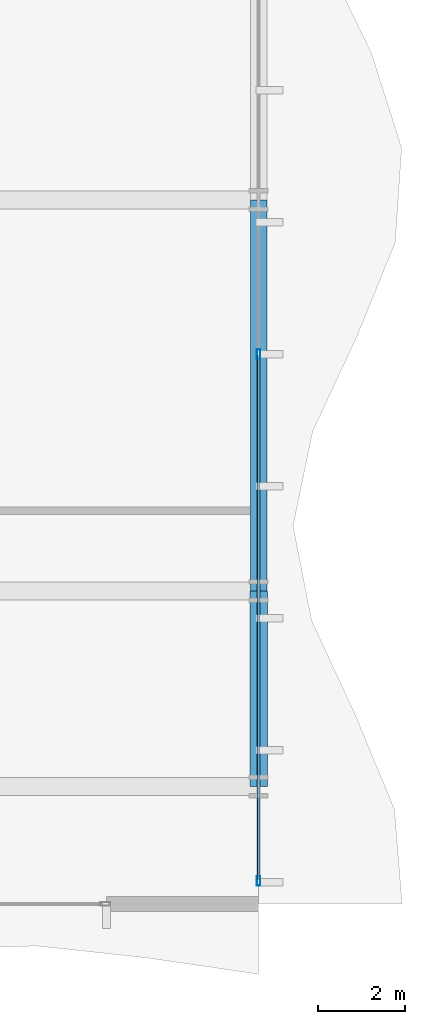
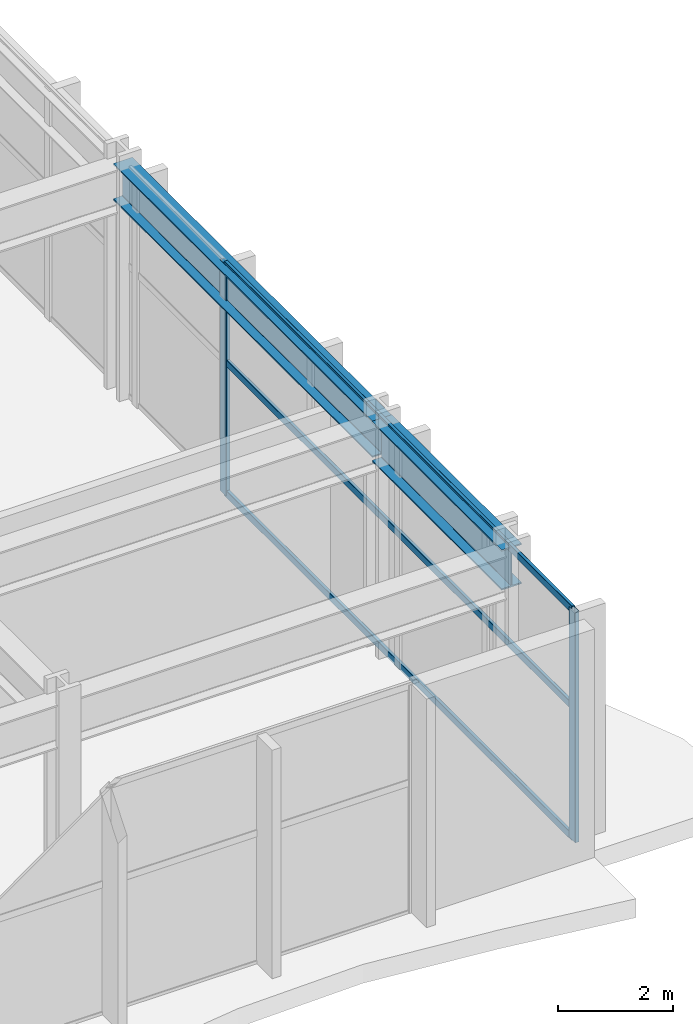
# One storey, part 17 of 33: 5 members, 2 beams, 1 element without a shape of its own.
"""IFC4 building model written with IfcOpenShell, lengths in metres."""

from ifc_helpers import new_model, si_unit, direction, frame, origin, origin_2d, place, context, subcontext, project, spatial, hollow_rectangle, i_section, extrude, material, layer, layer_set, material_profile, profile_set, type_object, element, aggregate, save


model = new_model("IFC4")

# Units and contexts
model_context = context("Model", 3, precision=1e-05, world=origin(), true_north=direction((0.0, 1.0)))
body_context = subcontext(model_context, "Body", "Model", "MODEL_VIEW")
ifc_project = project(units=[si_unit("LENGTHUNIT", "METRE"), si_unit("AREAUNIT", "SQUARE_METRE"), si_unit("VOLUMEUNIT", "CUBIC_METRE"), si_unit("PLANEANGLEUNIT", "RADIAN"), si_unit("MASSUNIT", "GRAM", prefix="KILO")], contexts=[model_context])

# Site, building, storey
site_placement = place(None, origin())
site = spatial("IfcSite", under=ifc_project, at=site_placement, CompositionType="ELEMENT")
building_placement = place(site_placement, origin())
building = spatial("IfcBuilding", under=site, at=building_placement, Name="Solvaryn Broadcast Tower", CompositionType="ELEMENT")
storey_placement = place(building_placement, frame((0.0, 0.0, 5.800048828125)))
storey = spatial("IfcBuildingStorey", under=building, at=storey_placement, Name="L01", CompositionType="ELEMENT", Elevation=5.800048828125)

# Beams
ifc_material_1 = material(Name="Steel ASTM A992 Grade 50", Category="steel")
ifc_material_profile_1 = material_profile(ifc_material_1, i_section(OverallWidth=0.39990234375, OverallDepth=0.85498046875, WebThickness=0.018310546875, FlangeThickness=0.029296875, FilletRadius=0.02001953125, at=origin_2d()))
ifc_profile_set_1 = profile_set([ifc_material_profile_1], Name="Steel ASTM A992 Grade 50")
beam_type_1 = type_object("IfcBeamType", Name="BM-G3-W33X201", PredefinedType="BEAM", material=ifc_profile_set_1)
beam_1_placement = place(storey_placement, frame((63.0, 4.5, 4.452392578125), z_axis=(0.0, 1.0, 0.0), x_axis=(-1.0, 0.0, 0.0)))
element("IfcBeam", 1, at=beam_1_placement, inside=storey, type_object=beam_type_1, Name="L01 Primary Beam Y (4-9 @ X=63)", PredefinedType="BEAM", context=body_context, shape_type="SweptSolid", body=[
    extrude(i_section(OverallWidth=0.39990234375, OverallDepth=0.85498046875, WebThickness=0.018310546875, FlangeThickness=0.029296875, FilletRadius=0.02001953125, at=origin_2d()), origin(), (0.0, 0.0, 1.0), 4.5),
])
ifc_material_2 = material(Name="Steel ASTM A992 Grade 50", Category="steel")
ifc_material_profile_2 = material_profile(ifc_material_2, i_section(OverallWidth=0.381103515625, OverallDepth=0.77294921875, WebThickness=0.0166015625, FlangeThickness=0.027099609375, FilletRadius=0.01806640625, at=origin_2d()))
ifc_profile_set_2 = profile_set([ifc_material_profile_2], Name="Steel ASTM A992 Grade 50")
beam_type_2 = type_object("IfcBeamType", Name="BM-SP1-W30X173", PredefinedType="USERDEFINED", material=ifc_profile_set_2)
beam_2_placement = place(storey_placement, frame((63.0, 9.0, 4.493408203125), z_axis=(0.0, 1.0, 0.0), x_axis=(-1.0, 0.0, 0.0)))
element("IfcBeam", 2, at=beam_2_placement, inside=storey, type_object=beam_type_2, Name="L01 Spandrel Beam Y (9-18 @ X=63)", ObjectType="SPANDREL", PredefinedType="USERDEFINED", context=body_context, shape_type="SweptSolid", body=[
    extrude(i_section(OverallWidth=0.381103515625, OverallDepth=0.77294921875, WebThickness=0.0166015625, FlangeThickness=0.027099609375, FilletRadius=0.01806640625, at=origin_2d()), origin(), (0.0, 0.0, 1.0), 9.0),
])

# Curtain wall, members
ifc_material_3 = material(Name="Aluminium and Terracotta Unitised Curtain Wall", Category="masonry")
ifc_layer = layer(ifc_material_3, 0.219970703125)
ifc_layer_set = layer_set([ifc_layer], Name="CW-SYS1-PODIUM")
curtain_wall_type = type_object("IfcCurtainWallType", Name="CW-SYS1-PODIUM", PredefinedType="NOTDEFINED", material=ifc_layer_set)
curtain_wall_placement = place(storey_placement, origin())
curtain_wall = element("IfcCurtainWall", 3, at=curtain_wall_placement, inside=storey, type_object=curtain_wall_type, Name="L01 Podium Curtain Wall E2", PredefinedType="NOTDEFINED")
ifc_material_4 = material(Name="Anodised Aluminium 6063-T6", Category="aluminium")
ifc_material_profile_3 = material_profile(ifc_material_4, hollow_rectangle(XDim=0.0849609375, YDim=0.219970703125, WallThickness=0.0048828125, InnerFilletRadius=0.0048828125, OuterFilletRadius=0.010009765625, at=origin_2d()))
ifc_profile_set_3 = profile_set([ifc_material_profile_3], Name="Anodised Aluminium 6063-T6")
member_type_1 = type_object("IfcMemberType", Name="CW-MUL-220", PredefinedType="MULLION", material=ifc_profile_set_3)
member_1_placement = place(storey_placement, frame((63.0, 14.449951171875, 0.0), z_axis=(0.0, 0.0, 1.0), x_axis=(1.0, 0.0, 0.0)))
member_1 = element("IfcMember", 4, at=member_1_placement, type_object=member_type_1, Name="CWS1 mullion 2", PredefinedType="MULLION", context=body_context, shape_type="SweptSolid", body=[
    extrude(hollow_rectangle(XDim=0.0849609375, YDim=0.219970703125, WallThickness=0.0048828125, InnerFilletRadius=0.0048828125, OuterFilletRadius=0.010009765625, at=origin_2d()), origin(), (0.0, 0.0, 1.0), 4.8798828125),
])
member_2_placement = place(storey_placement, frame((63.0, 2.330078125, 0.0), z_axis=(0.0, 0.0, 1.0), x_axis=(1.0, 0.0, 0.0)))
member_2 = element("IfcMember", 5, at=member_2_placement, type_object=member_type_1, Name="CWS1 mullion 3", PredefinedType="MULLION", context=body_context, shape_type="SweptSolid", body=[
    extrude(hollow_rectangle(XDim=0.0849609375, YDim=0.219970703125, WallThickness=0.0048828125, InnerFilletRadius=0.0048828125, OuterFilletRadius=0.010009765625, at=origin_2d()), origin(), (0.0, 0.0, 1.0), 4.8798828125),
])
ifc_material_5 = material(Name="Anodised Aluminium 6063-T6", Category="aluminium")
ifc_material_profile_4 = material_profile(ifc_material_5, hollow_rectangle(XDim=0.06494140625, YDim=0.14990234375, WallThickness=0.00390625, InnerFilletRadius=0.00390625, OuterFilletRadius=0.008056640625, at=origin_2d()))
ifc_profile_set_4 = profile_set([ifc_material_profile_4], Name="Anodised Aluminium 6063-T6")
member_type_2 = type_object("IfcMemberType", Name="CW-TRN-150", PredefinedType="USERDEFINED", material=ifc_profile_set_4)
member_3_placement = place(storey_placement, frame((63.0, 14.419921875, 0.030029296875), z_axis=(0.0, -1.0, 0.0), x_axis=(1.0, 0.0, 0.0)))
member_3 = element("IfcMember", 6, at=member_3_placement, type_object=member_type_2, Name="CWS1 transom 2.1", ObjectType="TRANSOM", PredefinedType="USERDEFINED", context=body_context, shape_type="SweptSolid", body=[
    extrude(hollow_rectangle(XDim=0.06494140625, YDim=0.14990234375, WallThickness=0.00390625, InnerFilletRadius=0.00390625, OuterFilletRadius=0.008056640625, at=origin_2d()), origin(), (0.0, 0.0, 1.0), 12.059814453125),
])
member_4_placement = place(storey_placement, frame((63.0, 14.419921875, 2.800048828125), z_axis=(0.0, -1.0, 0.0), x_axis=(1.0, 0.0, 0.0)))
member_4 = element("IfcMember", 7, at=member_4_placement, type_object=member_type_2, Name="CWS1 transom 2.2", ObjectType="TRANSOM", PredefinedType="USERDEFINED", context=body_context, shape_type="SweptSolid", body=[
    extrude(hollow_rectangle(XDim=0.06494140625, YDim=0.14990234375, WallThickness=0.00390625, InnerFilletRadius=0.00390625, OuterFilletRadius=0.008056640625, at=origin_2d()), origin(), (0.0, 0.0, 1.0), 12.059814453125),
])
member_5_placement = place(storey_placement, frame((63.0, 14.419921875, 4.849853515625), z_axis=(0.0, -1.0, 0.0), x_axis=(1.0, 0.0, 0.0)))
member_5 = element("IfcMember", 8, at=member_5_placement, type_object=member_type_2, Name="CWS1 transom 2.3", ObjectType="TRANSOM", PredefinedType="USERDEFINED", context=body_context, shape_type="SweptSolid", body=[
    extrude(hollow_rectangle(XDim=0.06494140625, YDim=0.14990234375, WallThickness=0.00390625, InnerFilletRadius=0.00390625, OuterFilletRadius=0.008056640625, at=origin_2d()), origin(), (0.0, 0.0, 1.0), 12.059814453125),
])
aggregate(curtain_wall, [member_1, member_2, member_3, member_4, member_5])

save(model, "model.ifc")
